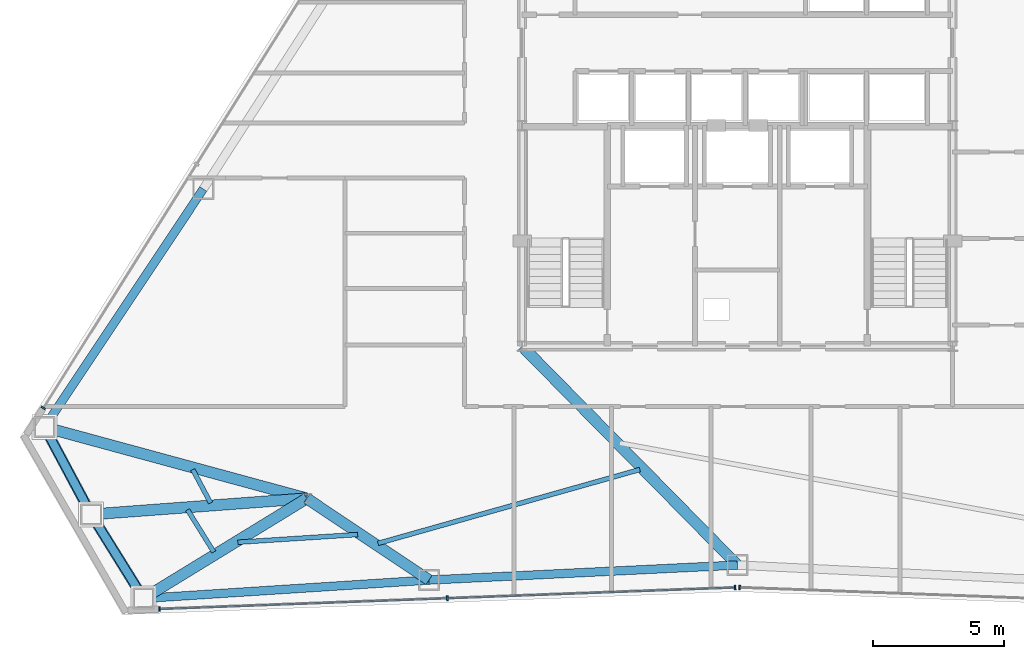
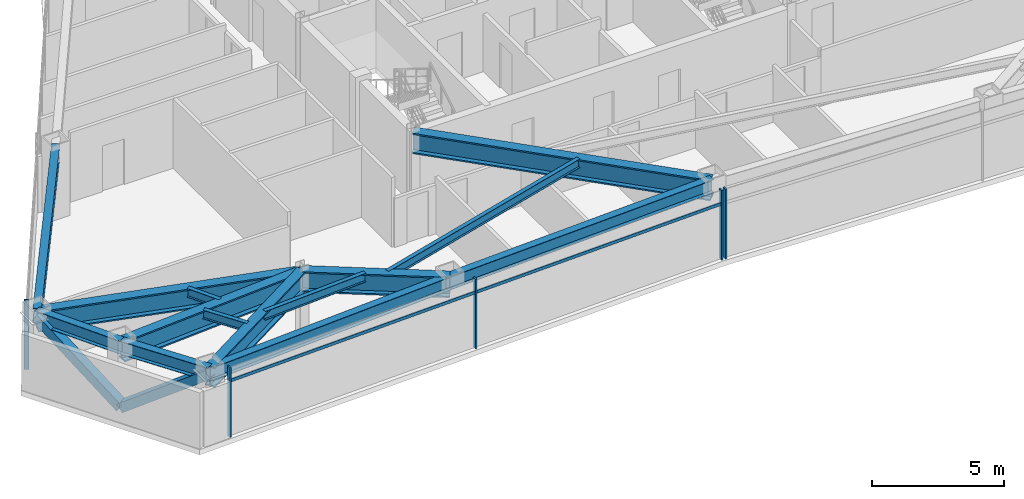
# One storey, part 3 of 13: 14 beams, 8 members, 3 elements without a shape of their own.
"""IFC4 building model written with IfcOpenShell, lengths in metres."""

from ifc_helpers import new_model, si_unit, direction, frame, origin, origin_2d, place, context, subcontext, project, spatial, rectangle, hollow_rectangle, i_section, extrude, source, transform, mapped, material, layer, layer_set, material_profile, profile_set, type_object, type_shapes, element, aggregate, save


model = new_model("IFC4")

# Units and contexts
model_context = context("Model", 3, precision=1e-05, world=origin(), true_north=direction((0.0, 1.0)))
body_context = subcontext(model_context, "Body", "Model", "MODEL_VIEW")
ifc_project = project(units=[si_unit("LENGTHUNIT", "METRE"), si_unit("AREAUNIT", "SQUARE_METRE"), si_unit("VOLUMEUNIT", "CUBIC_METRE"), si_unit("PLANEANGLEUNIT", "RADIAN"), si_unit("MASSUNIT", "GRAM", prefix="KILO")], contexts=[model_context])

# Site, building, storey
site_placement = place(None, origin())
site = spatial("IfcSite", under=ifc_project, at=site_placement, CompositionType="ELEMENT")
building_placement = place(site_placement, origin())
building = spatial("IfcBuilding", under=site, at=building_placement, Name="Varakhsha Concourse Tower", CompositionType="ELEMENT")
storey_placement = place(building_placement, frame((0.0, 0.0, 172.35009765625)))
storey = spatial("IfcBuildingStorey", under=building, at=storey_placement, Name="L49", CompositionType="ELEMENT", Elevation=172.35009765625)

# Beams
ifc_material_1 = material(Name="Structural Steel ASTM A992 Grade 50", Category="steel")
ifc_material_profile_1 = material_profile(ifc_material_1, i_section(OverallWidth=0.177978515625, OverallDepth=0.406982421875, WebThickness=0.008056640625, FlangeThickness=0.012939453125, at=origin_2d()), Name="W16X40")
ifc_profile_set_1 = profile_set([ifc_material_profile_1], Name="Structural Steel ASTM A992 Grade 50")
beam_type_1 = type_object("IfcBeamType", Name="BM-JST-W16X40", PredefinedType="JOIST", material=ifc_profile_set_1)
beam_1_placement = place(storey_placement, frame((19.25732421875, 11.697265625, 3.00634765625), z_axis=(0.471425078209, -0.881906114978, 0.0), x_axis=(0.881906114978, 0.471425078209, 0.0)))
element("IfcBeam", 1, at=beam_1_placement, inside=storey, type_object=beam_type_1, Name="BM-TJST-L49-07", PredefinedType="JOIST", context=body_context, shape_type="SweptSolid", body=[
    extrude(i_section(OverallWidth=0.177978515625, OverallDepth=0.406982421875, WebThickness=0.008056640625, FlangeThickness=0.012939453125, at=origin_2d()), origin(), (0.0, 0.0, 1.0), 1.438232421875),
])
beam_2_placement = place(storey_placement, frame((19.059814453125, 10.165283203125, 3.00634765625), z_axis=(0.528105315956, -0.849178882957, 0.0), x_axis=(0.849178882957, 0.528105315956, 0.0)))
element("IfcBeam", 2, at=beam_2_placement, inside=storey, type_object=beam_type_1, Name="BM-TJST-L49-08", PredefinedType="JOIST", context=body_context, shape_type="SweptSolid", body=[
    extrude(i_section(OverallWidth=0.177978515625, OverallDepth=0.406982421875, WebThickness=0.008056640625, FlangeThickness=0.012939453125, at=origin_2d()), origin(), (0.0, 0.0, 1.0), 1.890380859375),
])
beam_3_placement = place(storey_placement, frame((20.972412109375, 8.930908203125, 3.00634765625), z_axis=(0.997934587168, 0.064238304264, 0.0), x_axis=(-0.064238304264, 0.997934587168, 0.0)))
element("IfcBeam", 3, at=beam_3_placement, inside=storey, type_object=beam_type_1, Name="BM-TJST-L49-09", PredefinedType="JOIST", context=body_context, shape_type="SweptSolid", body=[
    extrude(i_section(OverallWidth=0.177978515625, OverallDepth=0.406982421875, WebThickness=0.008056640625, FlangeThickness=0.012939453125, at=origin_2d()), origin(), (0.0, 0.0, 1.0), 4.575927734375),
])
beam_4_placement = place(storey_placement, frame((26.31298828125, 8.888671875, 3.00634765625), z_axis=(0.962479186496, 0.271355515076, 0.0), x_axis=(-0.271355515076, 0.962479186496, 0.0)))
element("IfcBeam", 4, at=beam_4_placement, inside=storey, type_object=beam_type_1, Name="BM-TJST-L49-10", PredefinedType="JOIST", context=body_context, shape_type="SweptSolid", body=[
    extrude(i_section(OverallWidth=0.177978515625, OverallDepth=0.406982421875, WebThickness=0.008056640625, FlangeThickness=0.012939453125, at=origin_2d()), origin(), (0.0, 0.0, 1.0), 10.36181640625),
])
ifc_material_profile_2 = material_profile(ifc_material_1, i_section(OverallWidth=0.423095703125, OverallDepth=0.947998046875, WebThickness=0.0380859375, FlangeThickness=0.06396484375, at=origin_2d()), Name="W36X302")
ifc_profile_set_2 = profile_set([ifc_material_profile_2], Name="Structural Steel ASTM A992 Grade 50")
beam_type_2 = type_object("IfcBeamType", Name="BM-OUTR-W36X302", PredefinedType="USERDEFINED", material=ifc_profile_set_2)
beam_5_placement = place(storey_placement, frame((23.60009765625, 10.60009765625, 2.73583984375), z_axis=(-0.965004562858, 0.262233090327, 0.0), x_axis=(-0.262233090327, -0.965004562858, 0.0)))
element("IfcBeam", 5, at=beam_5_placement, inside=storey, type_object=beam_type_2, Name="L49 Radial Floor Girder 07", ObjectType="GIRDER", PredefinedType="USERDEFINED", context=body_context, shape_type="SweptSolid", body=[
    extrude(i_section(OverallWidth=0.423095703125, OverallDepth=0.947998046875, WebThickness=0.0380859375, FlangeThickness=0.06396484375, at=origin_2d()), origin(), (0.0, 0.0, 1.0), 10.35009765625),
])
beam_6_placement = place(storey_placement, frame((23.60009765625, 10.60009765625, 2.73583984375), z_axis=(-0.99725755111, -0.074009301804, 0.0), x_axis=(0.074009301804, -0.99725755111, 0.0)))
element("IfcBeam", 6, at=beam_6_placement, inside=storey, type_object=beam_type_2, Name="L49 Radial Floor Girder 08", ObjectType="GIRDER", PredefinedType="USERDEFINED", context=body_context, shape_type="SweptSolid", body=[
    extrude(i_section(OverallWidth=0.423095703125, OverallDepth=0.947998046875, WebThickness=0.0380859375, FlangeThickness=0.06396484375, at=origin_2d()), origin(), (0.0, 0.0, 1.0), 8.233642578125),
])
beam_7_placement = place(storey_placement, frame((23.60009765625, 10.60009765625, 2.73583984375), z_axis=(-0.852809936367, -0.522221420888, 0.0), x_axis=(0.522221420888, -0.852809936367, 0.0)))
element("IfcBeam", 7, at=beam_7_placement, inside=storey, type_object=beam_type_2, Name="L49 Radial Floor Girder 09", ObjectType="GIRDER", PredefinedType="USERDEFINED", context=body_context, shape_type="SweptSolid", body=[
    extrude(i_section(OverallWidth=0.423095703125, OverallDepth=0.947998046875, WebThickness=0.0380859375, FlangeThickness=0.06396484375, at=origin_2d()), origin(), (0.0, 0.0, 1.0), 7.294921875),
])
beam_8_placement = place(storey_placement, frame((23.60009765625, 10.60009765625, 2.73583984375), z_axis=(0.83158036055, -0.555404450782, 0.0), x_axis=(0.555404450782, 0.83158036055, 0.0)))
element("IfcBeam", 8, at=beam_8_placement, inside=storey, type_object=beam_type_2, Name="L49 Radial Floor Girder 10", ObjectType="GIRDER", PredefinedType="USERDEFINED", context=body_context, shape_type="SweptSolid", body=[
    extrude(i_section(OverallWidth=0.423095703125, OverallDepth=0.947998046875, WebThickness=0.0380859375, FlangeThickness=0.06396484375, at=origin_2d()), origin(), (0.0, 0.0, 1.0), 5.598388671875),
])
beam_9_placement = place(storey_placement, frame((31.800048828125, 16.39990234375, 2.73583984375), z_axis=(0.701153218292, -0.713010634197, 0.0), x_axis=(0.713010634197, 0.701153218292, 0.0)))
element("IfcBeam", 9, at=beam_9_placement, inside=storey, type_object=beam_type_2, Name="L49 Radial Floor Girder 11", ObjectType="GIRDER", PredefinedType="USERDEFINED", context=body_context, shape_type="SweptSolid", body=[
    extrude(i_section(OverallWidth=0.423095703125, OverallDepth=0.947998046875, WebThickness=0.0380859375, FlangeThickness=0.06396484375, at=origin_2d()), origin(), (0.0, 0.0, 1.0), 11.695068359375),
])
ifc_material_profile_3 = material_profile(ifc_material_1, i_section(OverallWidth=0.323974609375, OverallDepth=0.611083984375, WebThickness=0.012939453125, FlangeThickness=0.01904296875, at=origin_2d()), Name="W24X104")
ifc_profile_set_3 = profile_set([ifc_material_profile_3], Name="Structural Steel ASTM A992 Grade 50")
beam_type_3 = type_object("IfcBeamType", Name="BM-SPAN-W24X104", PredefinedType="SPANDREL", material=ifc_profile_set_3)
beam_10_placement = place(storey_placement, frame((19.6572265625, 22.383544921875, 2.904296875), z_axis=(-0.554617486764, -0.832105428041, 0.0), x_axis=(0.832105428041, -0.554617486764, 0.0)))
element("IfcBeam", 10, at=beam_10_placement, inside=storey, type_object=beam_type_3, Name="BM-SPAN-L49-06", PredefinedType="SPANDREL", context=body_context, shape_type="SweptSolid", body=[
    extrude(i_section(OverallWidth=0.323974609375, OverallDepth=0.611083984375, WebThickness=0.012939453125, FlangeThickness=0.01904296875, at=origin_2d()), origin(), (0.0, 0.0, 1.0), 10.899169921875),
])
for number, where, z_axis, x_axis, name in (
    (11, (13.6123046875, 13.314208984375, 2.904296875), (0.471432003262, -0.881902413139, 0.0), (0.881902413139, 0.471432003262, 0.0), "BM-SPAN-L49-07"),
    (12, (15.388916015625, 9.99072265625, 2.904296875), (0.528064197342, -0.849204453289, 0.0), (0.849204453289, 0.528064197342, 0.0), "BM-SPAN-L49-08"),
):
    element("IfcBeam", number, at=place(storey_placement, frame(where, z_axis=z_axis, x_axis=x_axis)), inside=storey, type_object=beam_type_3, Name=name, PredefinedType="SPANDREL", context=body_context, shape_type="SweptSolid", body=[
        extrude(i_section(OverallWidth=0.323974609375, OverallDepth=0.611083984375, WebThickness=0.012939453125, FlangeThickness=0.01904296875, at=origin_2d()), origin(), (0.0, 0.0, 1.0), 3.7685546875),
    ])
beam_11_placement = place(storey_placement, frame((17.37890625, 6.79052734375, 2.904296875), z_axis=(0.997934305556, 0.064242678915, 0.0), x_axis=(-0.064242678915, 0.997934305556, 0.0)))
element("IfcBeam", 13, at=beam_11_placement, inside=storey, type_object=beam_type_3, Name="BM-SPAN-L49-09", PredefinedType="SPANDREL", context=body_context, shape_type="SweptSolid", body=[
    extrude(i_section(OverallWidth=0.323974609375, OverallDepth=0.611083984375, WebThickness=0.012939453125, FlangeThickness=0.01904296875, at=origin_2d()), origin(), (0.0, 0.0, 1.0), 10.899169921875),
])
beam_12_placement = place(storey_placement, frame((28.255615234375, 7.49072265625, 2.904296875), z_axis=(0.998822016856, 0.048524000694, 0.0), x_axis=(-0.048524000694, 0.998822016856, 0.0)))
element("IfcBeam", 14, at=beam_12_placement, inside=storey, type_object=beam_type_3, Name="BM-SPAN-L49-10", PredefinedType="SPANDREL", context=body_context, shape_type="SweptSolid", body=[
    extrude(i_section(OverallWidth=0.323974609375, OverallDepth=0.611083984375, WebThickness=0.012939453125, FlangeThickness=0.01904296875, at=origin_2d()), origin(), (0.0, 0.0, 1.0), 11.75830078125),
])

# Members
ifc_material_2 = material(Name="Structural Steel ASTM A500 Grade C", Category="steel")
ifc_material_profile_4 = material_profile(ifc_material_2, hollow_rectangle(XDim=0.39990234375, YDim=0.39990234375, WallThickness=0.01611328125, at=origin_2d()), Name="HSS 400x400x16")
ifc_profile_set_4 = profile_set([ifc_material_profile_4], Name="Structural Steel ASTM A500 Grade C")
member_type_1 = type_object("IfcMemberType", Name="MB-TUBE-HSS400", PredefinedType="BRACE", material=ifc_profile_set_4)
shared_shape_1 = source(origin(), body_context, "Body", "SweptSolid", [
    extrude(hollow_rectangle(XDim=0.39990234375, YDim=0.39990234375, WallThickness=0.01611328125, at=origin_2d()), origin(), (0.0, 0.0, 1.0), 4.68896484375),
])
type_shapes(member_type_1, [shared_shape_1])
for number, where, z_axis, x_axis, name in (
    (15, (15.388916015625, 9.99072265625, 0.119873046875), (-0.378893427331, 0.708791566066, 0.595024610079), (-0.881902413139, -0.471432003262, 0.0), "L49 Wind-Corner Tube Brace B03"),
    (16, (15.388916015625, 9.99072265625, 0.119873046875), (0.424405981571, -0.682506883381, 0.595032702416), (0.849204453289, 0.528064197342, 0.0), "L49 Wind-Corner Tube Brace B04"),
):
    element("IfcMember", number, at=place(storey_placement, frame(where, z_axis=z_axis, x_axis=x_axis)), inside=storey, type_object=member_type_1, Name=name, PredefinedType="BRACE", context=body_context, shape_type="MappedRepresentation", body=[
        mapped(shared_shape_1, transform((0.0, 0.0, 0.0), scale=1.0)),
    ])

# Curtain wall, member
ifc_material_3 = material(Name="Anodised Bronze Architectural Aluminium AA 6063-T6", Category="aluminium")
ifc_layer = layer(ifc_material_3, 0.2099609375, Name="CW-SYS-04")
ifc_layer_set = layer_set([ifc_layer], Name="Anodised Bronze Architectural Aluminium AA 6063-T6")
curtain_wall_type = type_object("IfcCurtainWallType", Name="CW-SYS-04", PredefinedType="NOTDEFINED", material=ifc_layer_set)
curtain_wall_1_placement = place(storey_placement, origin())
curtain_wall_1 = element("IfcCurtainWall", 17, at=curtain_wall_1_placement, inside=storey, type_object=curtain_wall_type, Name="L49 Crystal Curtain Wall F3", PredefinedType="NOTDEFINED")
ifc_material_profile_5 = material_profile(ifc_material_3, rectangle(XDim=0.06494140625, YDim=0.179931640625, at=origin_2d()), Name="CWM-180X65")
ifc_profile_set_5 = profile_set([ifc_material_profile_5], Name="Anodised Bronze Architectural Aluminium AA 6063-T6")
member_type_2 = type_object("IfcMemberType", Name="CWM-180X65", PredefinedType="MULLION", material=ifc_profile_set_5)
shared_shape_2 = source(origin(), body_context, "Body", "SweptSolid", [
    extrude(rectangle(XDim=0.06494140625, YDim=0.179931640625, at=origin_2d()), origin(), (0.0, 0.0, 1.0), 3.2099609375),
])
type_shapes(member_type_2, [shared_shape_2])
member_1_placement = place(storey_placement, frame((13.56787109375, 14.045654296875, 0.0), z_axis=(0.0, 0.0, 1.0), x_axis=(0.532022365141, 0.846730301212, 0.0)))
member_1 = element("IfcMember", 18, at=member_1_placement, type_object=member_type_2, Name="CW-L49-F3 Mullion 00", PredefinedType="MULLION", context=body_context, shape_type="MappedRepresentation", body=[
    mapped(shared_shape_2, transform((0.0, 0.0, 0.0), scale=1.0)),
])
aggregate(curtain_wall_1, [member_1])

# Curtain wall, members
curtain_wall_2_placement = place(storey_placement, origin())
curtain_wall_2 = element("IfcCurtainWall", 19, at=curtain_wall_2_placement, inside=storey, type_object=curtain_wall_type, Name="L49 Crystal Curtain Wall F5", PredefinedType="NOTDEFINED")
member_2_placement = place(storey_placement, frame((39.9140625, 7.206298828125, 0.0), z_axis=(0.0, 0.0, 1.0), x_axis=(-0.999301264048, -0.037376244769, 0.0)))
member_2 = element("IfcMember", 20, at=member_2_placement, type_object=member_type_2, Name="CW-L49-F5 Mullion 00", PredefinedType="MULLION", context=body_context, shape_type="MappedRepresentation", body=[
    mapped(shared_shape_2, transform((0.0, 0.0, 0.0), scale=1.0)),
])
member_3_placement = place(storey_placement, frame((28.9521484375, 6.79638671875, 0.0), z_axis=(0.0, 0.0, 1.0), x_axis=(-0.999301264048, -0.037376244769, 0.0)))
member_3 = element("IfcMember", 21, at=member_3_placement, type_object=member_type_2, Name="CW-L49-F5 Mullion 01", PredefinedType="MULLION", context=body_context, shape_type="MappedRepresentation", body=[
    mapped(shared_shape_2, transform((0.0, 0.0, 0.0), scale=1.0)),
])
member_4_placement = place(storey_placement, frame((17.989990234375, 6.38623046875, 0.0), z_axis=(0.0, 0.0, 1.0), x_axis=(-0.999301264048, -0.037376244769, 0.0)))
member_4 = element("IfcMember", 22, at=member_4_placement, type_object=member_type_2, Name="CW-L49-F5 Mullion 02", PredefinedType="MULLION", context=body_context, shape_type="MappedRepresentation", body=[
    mapped(shared_shape_2, transform((0.0, 0.0, 0.0), scale=1.0)),
])

# Curtain wall, member
curtain_wall_3_placement = place(storey_placement, origin())
curtain_wall_3 = element("IfcCurtainWall", 23, at=curtain_wall_3_placement, inside=storey, type_object=curtain_wall_type, Name="L49 Crystal Curtain Wall F6", PredefinedType="NOTDEFINED")
member_5_placement = place(storey_placement, frame((40.0859375, 7.206298828125, 0.0), z_axis=(0.0, 0.0, 1.0), x_axis=(-0.999301264048, 0.037376244769, 0.0)))
member_5 = element("IfcMember", 24, at=member_5_placement, type_object=member_type_2, Name="CW-L49-F6 Mullion 02", PredefinedType="MULLION", context=body_context, shape_type="MappedRepresentation", body=[
    mapped(shared_shape_2, transform((0.0, 0.0, 0.0), scale=1.0)),
])
aggregate(curtain_wall_3, [member_5])

# Member
ifc_material_profile_6 = material_profile(ifc_material_3, rectangle(XDim=0.06005859375, YDim=0.139892578125, at=origin_2d()), Name="CWT-140X60")
ifc_profile_set_6 = profile_set([ifc_material_profile_6], Name="Anodised Bronze Architectural Aluminium AA 6063-T6")
member_type_3 = type_object("IfcMemberType", Name="CWT-140X60", PredefinedType="USERDEFINED", material=ifc_profile_set_6)
shared_shape_3 = source(origin(), body_context, "Body", "SweptSolid", [
    extrude(rectangle(XDim=0.06005859375, YDim=0.139892578125, at=origin_2d()), origin(), (0.0, 0.0, 1.0), 21.939453125),
])
type_shapes(member_type_3, [shared_shape_3])
member_6_placement = place(storey_placement, frame((39.9140625, 7.206298828125, 2.559814453125), z_axis=(-0.999301168886, -0.037378788948, 0.0), x_axis=(0.037378788948, -0.999301168886, 0.0)))
member_6 = element("IfcMember", 25, at=member_6_placement, type_object=member_type_3, Name="CW-L49-F5 Transom 01", ObjectType="TRANSOM", PredefinedType="USERDEFINED", context=body_context, shape_type="MappedRepresentation", body=[
    mapped(shared_shape_3, transform((0.0, 0.0, 0.0), scale=1.0)),
])

aggregate(curtain_wall_2, [member_2, member_3, member_4, member_6])

save(model, "model.ifc")
